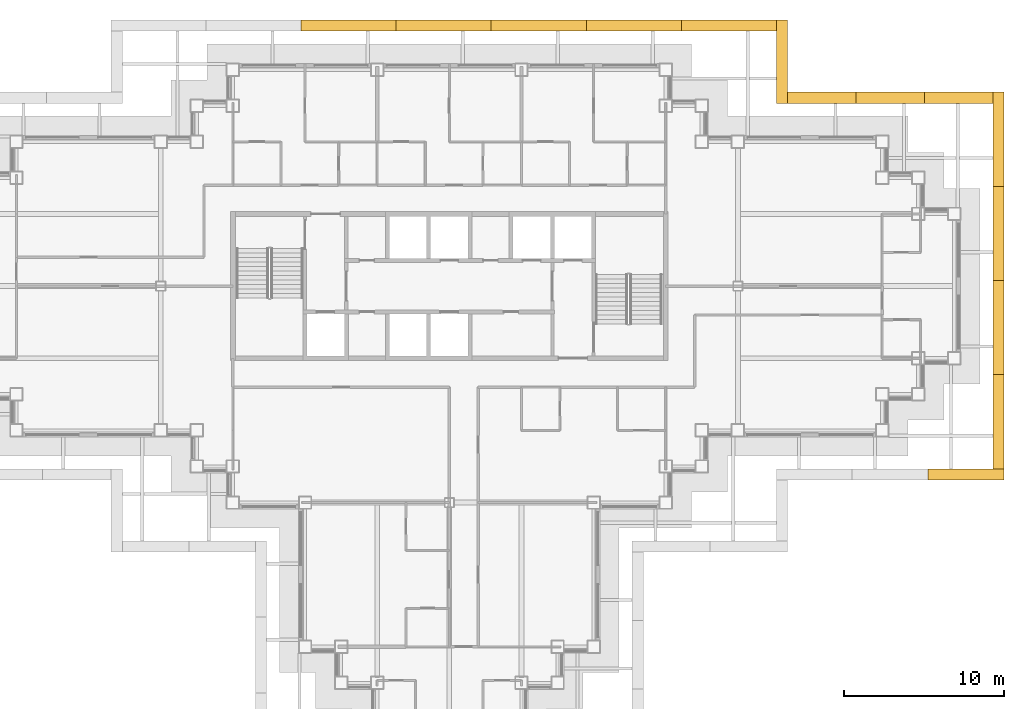
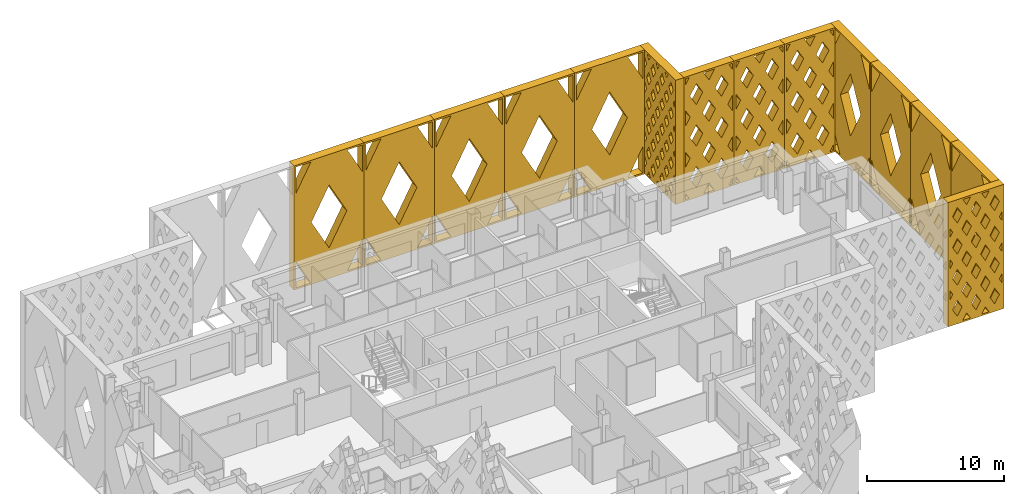
# One storey, part 18 of 18: 14 shading devices.
"""IFC4 building model written with IfcOpenShell, lengths in metres."""

from ifc_helpers import new_model, si_unit, direction, frame, origin, place, context, subcontext, project, spatial, polyline, outline, extrude, material, type_object, element, save


model = new_model("IFC4")

# Units and contexts
model_context = context("Model", 3, precision=1e-05, world=origin(), true_north=direction((0.0, 1.0)))
body_context = subcontext(model_context, "Body", "Model", "MODEL_VIEW")
ifc_project = project(units=[si_unit("LENGTHUNIT", "METRE"), si_unit("AREAUNIT", "SQUARE_METRE"), si_unit("VOLUMEUNIT", "CUBIC_METRE"), si_unit("PLANEANGLEUNIT", "RADIAN"), si_unit("MASSUNIT", "GRAM", prefix="KILO")], contexts=[model_context])

# Site, building, storey
site_placement = place(None, origin())
site = spatial("IfcSite", under=ifc_project, at=site_placement, CompositionType="ELEMENT")
building_placement = place(site_placement, origin())
building = spatial("IfcBuilding", under=site, at=building_placement, Name="Caravel Reach Hotel and Residences", CompositionType="ELEMENT")
storey_placement = place(building_placement, frame((0.0, 0.0, 165.39990234375)))
storey = spatial("IfcBuildingStorey", under=building, at=storey_placement, Name="L41", CompositionType="ELEMENT", Elevation=165.39990234375)

# Shading devices
ifc_material_1 = material(Name="Black powder-coated aluminium", Category="aluminium")
shading_device_type_1 = type_object("IfcShadingDeviceType", Name="Diamond lattice screen panel 4267 x 11100", PredefinedType="USERDEFINED", material=ifc_material_1)
shading_device_1_placement = place(storey_placement, frame((65.39990234375, 38.39990234375, 0.0), z_axis=(0.0, 1.0, 0.0), x_axis=(-1.0, 0.0, 0.0)))
element("IfcShadingDevice", 1, at=shading_device_1_placement, inside=storey, type_object=shading_device_type_1, Name="Lattice screen L41-L43 8.1", ObjectType="SCREEN", PredefinedType="USERDEFINED", context=body_context, shape_type="SweptSolid", body=[
    extrude(outline(polyline([(0.0, 0.0), (4.2666015625, 0.0), (4.2666015625, 11.10009765625), (0.0, 11.10009765625), (0.0, 0.0)]), holes=[polyline([(0.45947265625, 0.14990234375), (0.14990234375, 0.6865234375), (0.14990234375, 0.14990234375), (0.45947265625, 0.14990234375)]), polyline([(0.5458984375, 3.699951171875), (0.14990234375, 4.386474609375), (0.14990234375, 3.013427734375), (0.5458984375, 3.699951171875)]), polyline([(0.5458984375, 7.39990234375), (0.14990234375, 8.086669921875), (0.14990234375, 6.71337890625), (0.5458984375, 7.39990234375)]), polyline([(0.14990234375, 10.413330078125), (0.45947265625, 10.949951171875), (0.14990234375, 10.949951171875), (0.14990234375, 10.413330078125)]), polyline([(1.066650390625, 2.796630859375), (0.520751953125, 1.85009765625), (1.066650390625, 0.9033203125), (1.612548828125, 1.85009765625), (1.066650390625, 2.796630859375)]), polyline([(1.066650390625, 6.496826171875), (0.520751953125, 5.550048828125), (1.066650390625, 4.603271484375), (1.612548828125, 5.550048828125), (1.066650390625, 6.496826171875)]), polyline([(1.066650390625, 10.19677734375), (0.520751953125, 9.25), (1.066650390625, 8.30322265625), (1.612548828125, 9.25), (1.066650390625, 10.19677734375)]), polyline([(2.13330078125, 0.94677734375), (1.674072265625, 0.14990234375), (2.5927734375, 0.14990234375), (2.13330078125, 0.94677734375)]), polyline([(2.13330078125, 4.646728515625), (1.58740234375, 3.699951171875), (2.13330078125, 2.753173828125), (2.67919921875, 3.699951171875), (2.13330078125, 4.646728515625)]), polyline([(2.13330078125, 8.3466796875), (1.58740234375, 7.39990234375), (2.13330078125, 6.453369140625), (2.67919921875, 7.39990234375), (2.13330078125, 8.3466796875)]), polyline([(2.13330078125, 10.1533203125), (2.5927734375, 10.949951171875), (1.674072265625, 10.949951171875), (2.13330078125, 10.1533203125)]), polyline([(3.199951171875, 2.796630859375), (2.654052734375, 1.85009765625), (3.199951171875, 0.9033203125), (3.745849609375, 1.85009765625), (3.199951171875, 2.796630859375)]), polyline([(3.199951171875, 6.496826171875), (2.654052734375, 5.550048828125), (3.199951171875, 4.603271484375), (3.745849609375, 5.550048828125), (3.199951171875, 6.496826171875)]), polyline([(3.199951171875, 10.19677734375), (2.654052734375, 9.25), (3.199951171875, 8.30322265625), (3.745849609375, 9.25), (3.199951171875, 10.19677734375)]), polyline([(4.11669921875, 0.6865234375), (3.807373046875, 0.14990234375), (4.11669921875, 0.14990234375), (4.11669921875, 0.6865234375)]), polyline([(3.720703125, 3.699951171875), (4.11669921875, 3.013427734375), (4.11669921875, 4.386474609375), (3.720703125, 3.699951171875)]), polyline([(3.720703125, 7.39990234375), (4.11669921875, 6.71337890625), (4.11669921875, 8.086669921875), (3.720703125, 7.39990234375)]), polyline([(3.807373046875, 10.949951171875), (4.11669921875, 10.413330078125), (4.11669921875, 10.949951171875), (3.807373046875, 10.949951171875)])]), origin(), (0.0, 0.0, 1.0), 0.7001953125),
])
shading_device_2_placement = place(storey_placement, frame((61.13330078125, 38.39990234375, 0.0), z_axis=(0.0, 1.0, 0.0), x_axis=(-1.0, 0.0, 0.0)))
element("IfcShadingDevice", 2, at=shading_device_2_placement, inside=storey, type_object=shading_device_type_1, Name="Lattice screen L41-L43 8.2", ObjectType="SCREEN", PredefinedType="USERDEFINED", context=body_context, shape_type="SweptSolid", body=[
    extrude(outline(polyline([(0.0, 0.0), (4.2666015625, 0.0), (4.2666015625, 11.10009765625), (0.0, 11.10009765625), (0.0, 0.0)]), holes=[polyline([(0.45947265625, 0.14990234375), (0.14990234375, 0.6865234375), (0.14990234375, 0.14990234375), (0.45947265625, 0.14990234375)]), polyline([(0.5458984375, 3.699951171875), (0.14990234375, 4.386474609375), (0.14990234375, 3.013427734375), (0.5458984375, 3.699951171875)]), polyline([(0.5458984375, 7.39990234375), (0.14990234375, 8.086669921875), (0.14990234375, 6.71337890625), (0.5458984375, 7.39990234375)]), polyline([(0.14990234375, 10.413330078125), (0.45947265625, 10.949951171875), (0.14990234375, 10.949951171875), (0.14990234375, 10.413330078125)]), polyline([(1.066650390625, 2.796630859375), (0.520751953125, 1.85009765625), (1.066650390625, 0.9033203125), (1.612548828125, 1.85009765625), (1.066650390625, 2.796630859375)]), polyline([(1.066650390625, 6.496826171875), (0.520751953125, 5.550048828125), (1.066650390625, 4.603271484375), (1.612548828125, 5.550048828125), (1.066650390625, 6.496826171875)]), polyline([(1.066650390625, 10.19677734375), (0.520751953125, 9.25), (1.066650390625, 8.30322265625), (1.612548828125, 9.25), (1.066650390625, 10.19677734375)]), polyline([(2.13330078125, 0.94677734375), (1.674072265625, 0.14990234375), (2.5927734375, 0.14990234375), (2.13330078125, 0.94677734375)]), polyline([(2.13330078125, 4.646728515625), (1.58740234375, 3.699951171875), (2.13330078125, 2.753173828125), (2.67919921875, 3.699951171875), (2.13330078125, 4.646728515625)]), polyline([(2.13330078125, 8.3466796875), (1.58740234375, 7.39990234375), (2.13330078125, 6.453369140625), (2.67919921875, 7.39990234375), (2.13330078125, 8.3466796875)]), polyline([(2.13330078125, 10.1533203125), (2.5927734375, 10.949951171875), (1.674072265625, 10.949951171875), (2.13330078125, 10.1533203125)]), polyline([(3.199951171875, 2.796630859375), (2.654052734375, 1.85009765625), (3.199951171875, 0.9033203125), (3.745849609375, 1.85009765625), (3.199951171875, 2.796630859375)]), polyline([(3.199951171875, 6.496826171875), (2.654052734375, 5.550048828125), (3.199951171875, 4.603271484375), (3.745849609375, 5.550048828125), (3.199951171875, 6.496826171875)]), polyline([(3.199951171875, 10.19677734375), (2.654052734375, 9.25), (3.199951171875, 8.30322265625), (3.745849609375, 9.25), (3.199951171875, 10.19677734375)]), polyline([(4.11669921875, 0.6865234375), (3.807373046875, 0.14990234375), (4.11669921875, 0.14990234375), (4.11669921875, 0.6865234375)]), polyline([(3.720703125, 3.699951171875), (4.11669921875, 3.013427734375), (4.11669921875, 4.386474609375), (3.720703125, 3.699951171875)]), polyline([(3.720703125, 7.39990234375), (4.11669921875, 6.71337890625), (4.11669921875, 8.086669921875), (3.720703125, 7.39990234375)]), polyline([(3.807373046875, 10.949951171875), (4.11669921875, 10.413330078125), (4.11669921875, 10.949951171875), (3.807373046875, 10.949951171875)])]), origin(), (0.0, 0.0, 1.0), 0.7001953125),
])
shading_device_3_placement = place(storey_placement, frame((56.86669921875, 38.39990234375, 0.0), z_axis=(0.0, 1.0, 0.0), x_axis=(-1.0, 0.0, 0.0)))
element("IfcShadingDevice", 3, at=shading_device_3_placement, inside=storey, type_object=shading_device_type_1, Name="Lattice screen L41-L43 8.3", ObjectType="SCREEN", PredefinedType="USERDEFINED", context=body_context, shape_type="SweptSolid", body=[
    extrude(outline(polyline([(0.0, 0.0), (4.2666015625, 0.0), (4.2666015625, 11.10009765625), (0.0, 11.10009765625), (0.0, 0.0)]), holes=[polyline([(0.45947265625, 0.14990234375), (0.14990234375, 0.6865234375), (0.14990234375, 0.14990234375), (0.45947265625, 0.14990234375)]), polyline([(0.5458984375, 3.699951171875), (0.14990234375, 4.386474609375), (0.14990234375, 3.013427734375), (0.5458984375, 3.699951171875)]), polyline([(0.5458984375, 7.39990234375), (0.14990234375, 8.086669921875), (0.14990234375, 6.71337890625), (0.5458984375, 7.39990234375)]), polyline([(0.14990234375, 10.413330078125), (0.45947265625, 10.949951171875), (0.14990234375, 10.949951171875), (0.14990234375, 10.413330078125)]), polyline([(1.066650390625, 2.796630859375), (0.520751953125, 1.85009765625), (1.066650390625, 0.9033203125), (1.612548828125, 1.85009765625), (1.066650390625, 2.796630859375)]), polyline([(1.066650390625, 6.496826171875), (0.520751953125, 5.550048828125), (1.066650390625, 4.603271484375), (1.612548828125, 5.550048828125), (1.066650390625, 6.496826171875)]), polyline([(1.066650390625, 10.19677734375), (0.520751953125, 9.25), (1.066650390625, 8.30322265625), (1.612548828125, 9.25), (1.066650390625, 10.19677734375)]), polyline([(2.13330078125, 0.94677734375), (1.674072265625, 0.14990234375), (2.5927734375, 0.14990234375), (2.13330078125, 0.94677734375)]), polyline([(2.13330078125, 4.646728515625), (1.58740234375, 3.699951171875), (2.13330078125, 2.753173828125), (2.67919921875, 3.699951171875), (2.13330078125, 4.646728515625)]), polyline([(2.13330078125, 8.3466796875), (1.58740234375, 7.39990234375), (2.13330078125, 6.453369140625), (2.67919921875, 7.39990234375), (2.13330078125, 8.3466796875)]), polyline([(2.13330078125, 10.1533203125), (2.5927734375, 10.949951171875), (1.674072265625, 10.949951171875), (2.13330078125, 10.1533203125)]), polyline([(3.199951171875, 2.796630859375), (2.654052734375, 1.85009765625), (3.199951171875, 0.9033203125), (3.745849609375, 1.85009765625), (3.199951171875, 2.796630859375)]), polyline([(3.199951171875, 6.496826171875), (2.654052734375, 5.550048828125), (3.199951171875, 4.603271484375), (3.745849609375, 5.550048828125), (3.199951171875, 6.496826171875)]), polyline([(3.199951171875, 10.19677734375), (2.654052734375, 9.25), (3.199951171875, 8.30322265625), (3.745849609375, 9.25), (3.199951171875, 10.19677734375)]), polyline([(4.11669921875, 0.6865234375), (3.807373046875, 0.14990234375), (4.11669921875, 0.14990234375), (4.11669921875, 0.6865234375)]), polyline([(3.720703125, 3.699951171875), (4.11669921875, 3.013427734375), (4.11669921875, 4.386474609375), (3.720703125, 3.699951171875)]), polyline([(3.720703125, 7.39990234375), (4.11669921875, 6.71337890625), (4.11669921875, 8.086669921875), (3.720703125, 7.39990234375)]), polyline([(3.807373046875, 10.949951171875), (4.11669921875, 10.413330078125), (4.11669921875, 10.949951171875), (3.807373046875, 10.949951171875)])]), origin(), (0.0, 0.0, 1.0), 0.7001953125),
])
ifc_material_2 = material(Name="Black powder-coated aluminium", Category="aluminium")
shading_device_type_2 = type_object("IfcShadingDeviceType", Name="Diamond lattice screen panel 4733 x 11100", PredefinedType="USERDEFINED", material=ifc_material_2)
shading_device_4_placement = place(storey_placement, frame((61.36669921875, 15.60009765625, 0.0), z_axis=(0.0, -1.0, 0.0), x_axis=(1.0, 0.0, 0.0)))
element("IfcShadingDevice", 4, at=shading_device_4_placement, inside=storey, type_object=shading_device_type_2, Name="Lattice screen L41-L43 6.3", ObjectType="SCREEN", PredefinedType="USERDEFINED", context=body_context, shape_type="SweptSolid", body=[
    extrude(outline(polyline([(0.0, 0.0), (4.7333984375, 0.0), (4.7333984375, 11.10009765625), (0.0, 11.10009765625), (0.0, 0.0)]), holes=[polyline([(0.401123046875, 2.77490234375), (0.14990234375, 3.216796875), (0.14990234375, 2.333251953125), (0.401123046875, 2.77490234375)]), polyline([(0.401123046875, 5.550048828125), (0.14990234375, 5.99169921875), (0.14990234375, 5.108154296875), (0.401123046875, 5.550048828125)]), polyline([(0.401123046875, 8.324951171875), (0.14990234375, 8.766845703125), (0.14990234375, 7.88330078125), (0.401123046875, 8.324951171875)]), polyline([(0.788818359375, 2.093017578125), (0.3876953125, 1.387451171875), (0.788818359375, 0.681884765625), (1.190185546875, 1.387451171875), (0.788818359375, 2.093017578125)]), polyline([(0.788818359375, 4.8681640625), (0.3876953125, 4.16259765625), (0.788818359375, 3.456787109375), (1.190185546875, 4.16259765625), (0.788818359375, 4.8681640625)]), polyline([(0.788818359375, 7.64306640625), (0.3876953125, 6.9375), (0.788818359375, 6.23193359375), (1.190185546875, 6.9375), (0.788818359375, 7.64306640625)]), polyline([(0.788818359375, 10.418212890625), (0.3876953125, 9.71240234375), (0.788818359375, 9.0068359375), (1.190185546875, 9.71240234375), (0.788818359375, 10.418212890625)]), polyline([(1.577880859375, 0.70556640625), (1.261962890625, 0.14990234375), (1.893798828125, 0.14990234375), (1.577880859375, 0.70556640625)]), polyline([(1.577880859375, 3.480712890625), (1.176513671875, 2.77490234375), (1.577880859375, 2.0693359375), (1.97900390625, 2.77490234375), (1.577880859375, 3.480712890625)]), polyline([(1.577880859375, 6.255615234375), (1.176513671875, 5.550048828125), (1.577880859375, 4.844482421875), (1.97900390625, 5.550048828125), (1.577880859375, 6.255615234375)]), polyline([(1.577880859375, 9.030517578125), (1.176513671875, 8.324951171875), (1.577880859375, 7.619384765625), (1.97900390625, 8.324951171875), (1.577880859375, 9.030517578125)]), polyline([(1.577880859375, 10.394287109375), (1.893798828125, 10.949951171875), (1.261962890625, 10.949951171875), (1.577880859375, 10.394287109375)]), polyline([(2.36669921875, 2.093017578125), (1.965576171875, 1.387451171875), (2.36669921875, 0.681884765625), (2.767822265625, 1.387451171875), (2.36669921875, 2.093017578125)]), polyline([(2.36669921875, 4.8681640625), (1.965576171875, 4.16259765625), (2.36669921875, 3.456787109375), (2.767822265625, 4.16259765625), (2.36669921875, 4.8681640625)]), polyline([(2.36669921875, 7.64306640625), (1.965576171875, 6.9375), (2.36669921875, 6.23193359375), (2.767822265625, 6.9375), (2.36669921875, 7.64306640625)]), polyline([(2.36669921875, 10.418212890625), (1.965576171875, 9.71240234375), (2.36669921875, 9.0068359375), (2.767822265625, 9.71240234375), (2.36669921875, 10.418212890625)]), polyline([(3.155517578125, 0.70556640625), (2.839599609375, 0.14990234375), (3.471435546875, 0.14990234375), (3.155517578125, 0.70556640625)]), polyline([(3.155517578125, 3.480712890625), (2.75439453125, 2.77490234375), (3.155517578125, 2.0693359375), (3.556640625, 2.77490234375), (3.155517578125, 3.480712890625)]), polyline([(3.155517578125, 6.255615234375), (2.75439453125, 5.550048828125), (3.155517578125, 4.844482421875), (3.556640625, 5.550048828125), (3.155517578125, 6.255615234375)]), polyline([(3.155517578125, 9.030517578125), (2.75439453125, 8.324951171875), (3.155517578125, 7.619384765625), (3.556640625, 8.324951171875), (3.155517578125, 9.030517578125)]), polyline([(3.155517578125, 10.394287109375), (3.471435546875, 10.949951171875), (2.839599609375, 10.949951171875), (3.155517578125, 10.394287109375)]), polyline([(3.9443359375, 2.093017578125), (3.543212890625, 1.387451171875), (3.9443359375, 0.681884765625), (4.345703125, 1.387451171875), (3.9443359375, 2.093017578125)]), polyline([(3.9443359375, 4.8681640625), (3.543212890625, 4.16259765625), (3.9443359375, 3.456787109375), (4.345703125, 4.16259765625), (3.9443359375, 4.8681640625)]), polyline([(3.9443359375, 7.64306640625), (3.543212890625, 6.9375), (3.9443359375, 6.23193359375), (4.345703125, 6.9375), (3.9443359375, 7.64306640625)]), polyline([(3.9443359375, 10.418212890625), (3.543212890625, 9.71240234375), (3.9443359375, 9.0068359375), (4.345703125, 9.71240234375), (3.9443359375, 10.418212890625)]), polyline([(4.33203125, 2.77490234375), (4.583251953125, 2.333251953125), (4.583251953125, 3.216796875), (4.33203125, 2.77490234375)]), polyline([(4.33203125, 5.550048828125), (4.583251953125, 5.108154296875), (4.583251953125, 5.99169921875), (4.33203125, 5.550048828125)]), polyline([(4.33203125, 8.324951171875), (4.583251953125, 7.88330078125), (4.583251953125, 8.766845703125), (4.33203125, 8.324951171875)])]), origin(), (0.0, 0.0, 1.0), 0.7001953125),
])
ifc_material_3 = material(Name="Black powder-coated aluminium", Category="aluminium")
shading_device_type_3 = type_object("IfcShadingDeviceType", Name="Diamond lattice screen panel 5200 x 11100", PredefinedType="USERDEFINED", material=ifc_material_3)
shading_device_5_placement = place(storey_placement, frame((51.89990234375, 38.39990234375, 0.0), z_axis=(1.0, 0.0, 0.0), x_axis=(0.0, 1.0, 0.0)))
element("IfcShadingDevice", 5, at=shading_device_5_placement, inside=storey, type_object=shading_device_type_3, Name="Lattice screen L41-L43 9.1", ObjectType="SCREEN", PredefinedType="USERDEFINED", context=body_context, shape_type="SweptSolid", body=[
    extrude(outline(polyline([(0.0, 0.0), (5.199951171875, 0.0), (5.199951171875, 11.10009765625), (0.0, 11.10009765625), (0.0, 0.0)]), holes=[polyline([(0.326904296875, 2.219970703125), (0.14990234375, 2.522216796875), (0.14990234375, 1.917724609375), (0.326904296875, 2.219970703125)]), polyline([(0.326904296875, 4.43994140625), (0.14990234375, 4.7421875), (0.14990234375, 4.1376953125), (0.326904296875, 4.43994140625)]), polyline([(0.326904296875, 6.659912109375), (0.14990234375, 6.962158203125), (0.14990234375, 6.357666015625), (0.326904296875, 6.659912109375)]), polyline([(0.326904296875, 8.8798828125), (0.14990234375, 9.18212890625), (0.14990234375, 8.577880859375), (0.326904296875, 8.8798828125)]), polyline([(0.64990234375, 1.66845703125), (0.322998046875, 1.110107421875), (0.64990234375, 0.551513671875), (0.97705078125, 1.110107421875), (0.64990234375, 1.66845703125)]), polyline([(0.64990234375, 3.888427734375), (0.322998046875, 3.330078125), (0.64990234375, 2.771728515625), (0.97705078125, 3.330078125), (0.64990234375, 3.888427734375)]), polyline([(0.64990234375, 6.1083984375), (0.322998046875, 5.550048828125), (0.64990234375, 4.99169921875), (0.97705078125, 5.550048828125), (0.64990234375, 6.1083984375)]), polyline([(0.64990234375, 8.328369140625), (0.322998046875, 7.77001953125), (0.64990234375, 7.211669921875), (0.97705078125, 7.77001953125), (0.64990234375, 8.328369140625)]), polyline([(0.64990234375, 10.54833984375), (0.322998046875, 9.989990234375), (0.64990234375, 9.431640625), (0.97705078125, 9.989990234375), (0.64990234375, 10.54833984375)]), polyline([(1.300048828125, 0.558349609375), (1.060791015625, 0.14990234375), (1.5390625, 0.14990234375), (1.300048828125, 0.558349609375)]), polyline([(1.300048828125, 2.7783203125), (0.97314453125, 2.219970703125), (1.300048828125, 1.66162109375), (1.626953125, 2.219970703125), (1.300048828125, 2.7783203125)]), polyline([(1.300048828125, 4.998291015625), (0.97314453125, 4.43994140625), (1.300048828125, 3.881591796875), (1.626953125, 4.43994140625), (1.300048828125, 4.998291015625)]), polyline([(1.300048828125, 7.21826171875), (0.97314453125, 6.659912109375), (1.300048828125, 6.1015625), (1.626953125, 6.659912109375), (1.300048828125, 7.21826171875)]), polyline([(1.300048828125, 9.4384765625), (0.97314453125, 8.8798828125), (1.300048828125, 8.321533203125), (1.626953125, 8.8798828125), (1.300048828125, 9.4384765625)]), polyline([(1.300048828125, 10.541748046875), (1.5390625, 10.949951171875), (1.060791015625, 10.949951171875), (1.300048828125, 10.541748046875)]), polyline([(1.949951171875, 1.66845703125), (1.623046875, 1.110107421875), (1.949951171875, 0.551513671875), (2.27685546875, 1.110107421875), (1.949951171875, 1.66845703125)]), polyline([(1.949951171875, 3.888427734375), (1.623046875, 3.330078125), (1.949951171875, 2.771728515625), (2.27685546875, 3.330078125), (1.949951171875, 3.888427734375)]), polyline([(1.949951171875, 6.1083984375), (1.623046875, 5.550048828125), (1.949951171875, 4.99169921875), (2.27685546875, 5.550048828125), (1.949951171875, 6.1083984375)]), polyline([(1.949951171875, 8.328369140625), (1.623046875, 7.77001953125), (1.949951171875, 7.211669921875), (2.27685546875, 7.77001953125), (1.949951171875, 8.328369140625)]), polyline([(1.949951171875, 10.54833984375), (1.623046875, 9.989990234375), (1.949951171875, 9.431640625), (2.27685546875, 9.989990234375), (1.949951171875, 10.54833984375)]), polyline([(2.60009765625, 0.558349609375), (2.36083984375, 0.14990234375), (2.839111328125, 0.14990234375), (2.60009765625, 0.558349609375)]), polyline([(2.60009765625, 2.7783203125), (2.27294921875, 2.219970703125), (2.60009765625, 1.66162109375), (2.927001953125, 2.219970703125), (2.60009765625, 2.7783203125)]), polyline([(2.60009765625, 4.998291015625), (2.27294921875, 4.43994140625), (2.60009765625, 3.881591796875), (2.927001953125, 4.43994140625), (2.60009765625, 4.998291015625)]), polyline([(2.60009765625, 7.21826171875), (2.27294921875, 6.659912109375), (2.60009765625, 6.1015625), (2.927001953125, 6.659912109375), (2.60009765625, 7.21826171875)]), polyline([(2.60009765625, 9.4384765625), (2.27294921875, 8.8798828125), (2.60009765625, 8.321533203125), (2.927001953125, 8.8798828125), (2.60009765625, 9.4384765625)]), polyline([(2.60009765625, 10.541748046875), (2.839111328125, 10.949951171875), (2.36083984375, 10.949951171875), (2.60009765625, 10.541748046875)]), polyline([(3.25, 1.66845703125), (2.923095703125, 1.110107421875), (3.25, 0.551513671875), (3.576904296875, 1.110107421875), (3.25, 1.66845703125)]), polyline([(3.25, 3.888427734375), (2.923095703125, 3.330078125), (3.25, 2.771728515625), (3.576904296875, 3.330078125), (3.25, 3.888427734375)]), polyline([(3.25, 6.1083984375), (2.923095703125, 5.550048828125), (3.25, 4.99169921875), (3.576904296875, 5.550048828125), (3.25, 6.1083984375)]), polyline([(3.25, 8.328369140625), (2.923095703125, 7.77001953125), (3.25, 7.211669921875), (3.576904296875, 7.77001953125), (3.25, 8.328369140625)]), polyline([(3.25, 10.54833984375), (2.923095703125, 9.989990234375), (3.25, 9.431640625), (3.576904296875, 9.989990234375), (3.25, 10.54833984375)]), polyline([(3.89990234375, 0.558349609375), (3.660888671875, 0.14990234375), (4.13916015625, 0.14990234375), (3.89990234375, 0.558349609375)]), polyline([(3.89990234375, 2.7783203125), (3.572998046875, 2.219970703125), (3.89990234375, 1.66162109375), (4.22705078125, 2.219970703125), (3.89990234375, 2.7783203125)]), polyline([(3.89990234375, 4.998291015625), (3.572998046875, 4.43994140625), (3.89990234375, 3.881591796875), (4.22705078125, 4.43994140625), (3.89990234375, 4.998291015625)]), polyline([(3.89990234375, 7.21826171875), (3.572998046875, 6.659912109375), (3.89990234375, 6.1015625), (4.22705078125, 6.659912109375), (3.89990234375, 7.21826171875)]), polyline([(3.89990234375, 9.4384765625), (3.572998046875, 8.8798828125), (3.89990234375, 8.321533203125), (4.22705078125, 8.8798828125), (3.89990234375, 9.4384765625)]), polyline([(3.89990234375, 10.541748046875), (4.13916015625, 10.949951171875), (3.660888671875, 10.949951171875), (3.89990234375, 10.541748046875)]), polyline([(4.550048828125, 1.66845703125), (4.22314453125, 1.110107421875), (4.550048828125, 0.551513671875), (4.876953125, 1.110107421875), (4.550048828125, 1.66845703125)]), polyline([(4.550048828125, 3.888427734375), (4.22314453125, 3.330078125), (4.550048828125, 2.771728515625), (4.876953125, 3.330078125), (4.550048828125, 3.888427734375)]), polyline([(4.550048828125, 6.1083984375), (4.22314453125, 5.550048828125), (4.550048828125, 4.99169921875), (4.876953125, 5.550048828125), (4.550048828125, 6.1083984375)]), polyline([(4.550048828125, 8.328369140625), (4.22314453125, 7.77001953125), (4.550048828125, 7.211669921875), (4.876953125, 7.77001953125), (4.550048828125, 8.328369140625)]), polyline([(4.550048828125, 10.54833984375), (4.22314453125, 9.989990234375), (4.550048828125, 9.431640625), (4.876953125, 9.989990234375), (4.550048828125, 10.54833984375)]), polyline([(4.873046875, 2.219970703125), (5.050048828125, 1.917724609375), (5.050048828125, 2.522216796875), (4.873046875, 2.219970703125)]), polyline([(4.873046875, 4.43994140625), (5.050048828125, 4.1376953125), (5.050048828125, 4.7421875), (4.873046875, 4.43994140625)]), polyline([(4.873046875, 6.659912109375), (5.050048828125, 6.357666015625), (5.050048828125, 6.962158203125), (4.873046875, 6.659912109375)]), polyline([(4.873046875, 8.8798828125), (5.050048828125, 8.577880859375), (5.050048828125, 9.18212890625), (4.873046875, 8.8798828125)])]), origin(), (0.0, 0.0, 1.0), 0.7001953125),
])
ifc_material_4 = material(Name="Black powder-coated aluminium", Category="aluminium")
shading_device_type_4 = type_object("IfcShadingDeviceType", Name="Diamond lattice screen panel 5875 x 11100", PredefinedType="USERDEFINED", material=ifc_material_4)
for number, where, z_axis, x_axis, name in (
    (6, (65.39990234375, 15.60009765625, 0.0), (1.0, 0.0, 0.0), (0.0, 1.0, 0.0), "Lattice screen L41-L43 7.1"),
    (7, (65.39990234375, 21.47509765625, 0.0), (1.0, 0.0, 0.0), (0.0, 1.0, 0.0), "Lattice screen L41-L43 7.2"),
    (8, (65.39990234375, 27.35009765625, 0.0), (1.0, 0.0, 0.0), (0.0, 1.0, 0.0), "Lattice screen L41-L43 7.3"),
    (9, (65.39990234375, 33.22509765625, 0.0), (1.0, 0.0, 0.0), (0.0, 1.0, 0.0), "Lattice screen L41-L43 7.4"),
):
    element("IfcShadingDevice", number, at=place(storey_placement, frame(where, z_axis=z_axis, x_axis=x_axis)), inside=storey, type_object=shading_device_type_4, Name=name, ObjectType="SCREEN", PredefinedType="USERDEFINED", context=body_context, shape_type="SweptSolid", body=[
        extrude(outline(polyline([(0.0, 0.0), (5.875, 0.0), (5.875, 11.10009765625), (0.0, 11.10009765625), (0.0, 0.0)]), holes=[polyline([(1.408447265625, 0.14990234375), (0.14990234375, 2.52734375), (0.14990234375, 0.14990234375), (1.408447265625, 0.14990234375)]), polyline([(0.14990234375, 8.572509765625), (1.408447265625, 10.949951171875), (0.14990234375, 10.949951171875), (0.14990234375, 8.572509765625)]), polyline([(2.9375, 8.36083984375), (1.44970703125, 5.550048828125), (2.9375, 2.7392578125), (4.42529296875, 5.550048828125), (2.9375, 8.36083984375)]), polyline([(5.72509765625, 2.52734375), (4.466552734375, 0.14990234375), (5.72509765625, 0.14990234375), (5.72509765625, 2.52734375)]), polyline([(4.466552734375, 10.949951171875), (5.72509765625, 8.572509765625), (5.72509765625, 10.949951171875), (4.466552734375, 10.949951171875)])]), origin(), (0.0, 0.0, 1.0), 0.7001953125),
    ])
ifc_material_5 = material(Name="Black powder-coated aluminium", Category="aluminium")
shading_device_type_5 = type_object("IfcShadingDeviceType", Name="Diamond lattice screen panel 5929 x 11100", PredefinedType="USERDEFINED", material=ifc_material_5)
for number, where, z_axis, x_axis, name in (
    (10, (51.89990234375, 42.89990234375, 0.0), (0.0, 1.0, 0.0), (-1.0, 0.0, 0.0), "Lattice screen L41-L43 10.1"),
    (11, (45.971435546875, 42.89990234375, 0.0), (0.0, 1.0, 0.0), (-1.0, 0.0, 0.0), "Lattice screen L41-L43 10.2"),
    (12, (40.04296875, 42.89990234375, 0.0), (0.0, 1.0, 0.0), (-1.0, 0.0, 0.0), "Lattice screen L41-L43 10.3"),
    (13, (34.1142578125, 42.89990234375, 0.0), (0.0, 1.0, 0.0), (-1.0, 0.0, 0.0), "Lattice screen L41-L43 10.4"),
    (14, (28.185791015625, 42.89990234375, 0.0), (0.0, 1.0, 0.0), (-1.0, 0.0, 0.0), "Lattice screen L41-L43 10.5"),
):
    element("IfcShadingDevice", number, at=place(storey_placement, frame(where, z_axis=z_axis, x_axis=x_axis)), inside=storey, type_object=shading_device_type_5, Name=name, ObjectType="SCREEN", PredefinedType="USERDEFINED", context=body_context, shape_type="SweptSolid", body=[
        extrude(outline(polyline([(0.0, 0.0), (5.928466796875, 0.0), (5.928466796875, 11.10009765625), (0.0, 11.10009765625), (0.0, 0.0)]), holes=[polyline([(1.420654296875, 0.14990234375), (0.14990234375, 2.52880859375), (0.14990234375, 0.14990234375), (1.420654296875, 0.14990234375)]), polyline([(0.14990234375, 8.571044921875), (1.420654296875, 10.949951171875), (0.14990234375, 10.949951171875), (0.14990234375, 8.571044921875)]), polyline([(2.96435546875, 8.359619140625), (1.463623046875, 5.550048828125), (2.96435546875, 2.740234375), (4.46484375, 5.550048828125), (2.96435546875, 8.359619140625)]), polyline([(5.778564453125, 2.52880859375), (4.508056640625, 0.14990234375), (5.778564453125, 0.14990234375), (5.778564453125, 2.52880859375)]), polyline([(4.508056640625, 10.949951171875), (5.778564453125, 8.571044921875), (5.778564453125, 10.949951171875), (4.508056640625, 10.949951171875)])]), origin(), (0.0, 0.0, 1.0), 0.7001953125),
    ])

save(model, "model.ifc")
